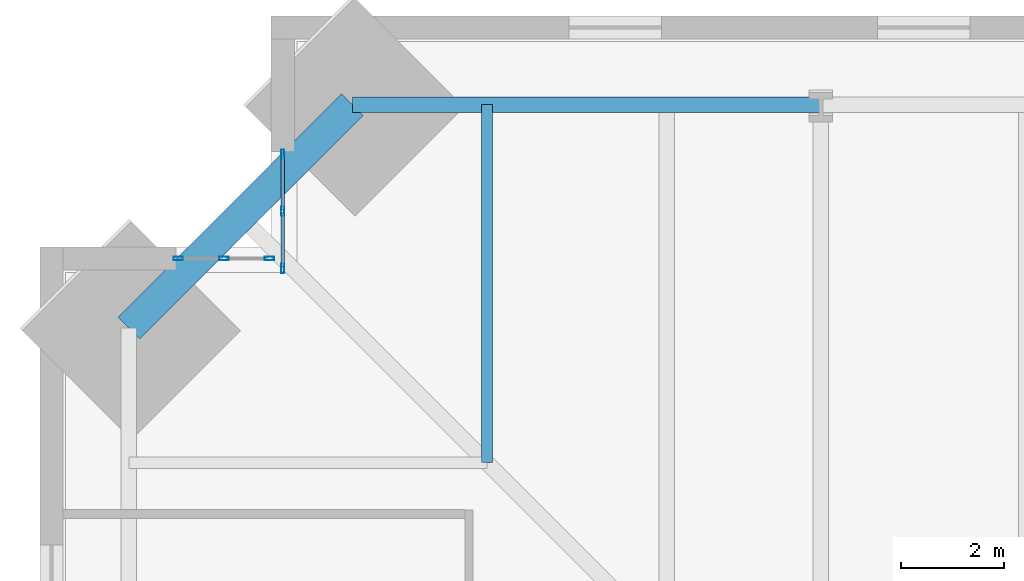
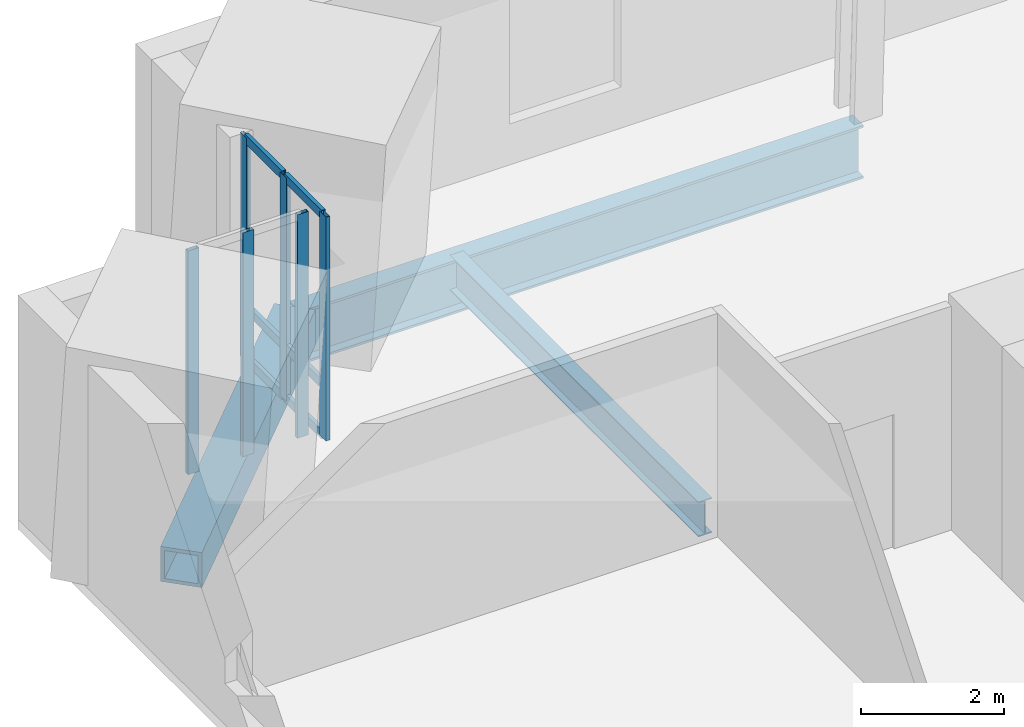
# One storey, part 6 of 15: 12 members, 3 beams, 2 elements without a shape of their own.
"""IFC4 building model written with IfcOpenShell, lengths in metres."""

from ifc_helpers import new_model, si_unit, direction, frame, origin, origin_2d, place, context, subcontext, project, spatial, hollow_rectangle, i_section, extrude, material, material_profile, profile_set, type_object, element, aggregate, save


model = new_model("IFC4")

# Units and contexts
model_context = context("Model", 3, precision=1e-05, world=origin(), true_north=direction((0.0, 1.0)))
body_context = subcontext(model_context, "Body", "Model", "MODEL_VIEW")
ifc_project = project(units=[si_unit("LENGTHUNIT", "METRE"), si_unit("AREAUNIT", "SQUARE_METRE"), si_unit("VOLUMEUNIT", "CUBIC_METRE"), si_unit("PLANEANGLEUNIT", "RADIAN"), si_unit("MASSUNIT", "GRAM", prefix="KILO")], contexts=[model_context])

# Site, building, storey
site_placement = place(None, origin())
site = spatial("IfcSite", under=ifc_project, at=site_placement, CompositionType="ELEMENT")
building_placement = place(site_placement, origin())
building = spatial("IfcBuilding", under=site, at=building_placement, Name="Peilmerk Tower", CompositionType="ELEMENT")
storey_placement = place(building_placement, frame((0.0, 0.0, 233.800048828125)))
storey = spatial("IfcBuildingStorey", under=building, at=storey_placement, Name="L51", CompositionType="ELEMENT", Elevation=233.800048828125)

# Beams
ifc_material_1 = material(Name="Steel S355", Category="steel")
ifc_material_profile_1 = material_profile(ifc_material_1, i_section(OverallWidth=0.219970703125, OverallDepth=0.60009765625, WebThickness=0.011962890625, FlangeThickness=0.01904296875, at=origin_2d()), Name="IPE 600")
ifc_profile_set_1 = profile_set([ifc_material_profile_1], Name="Steel S355")
beam_type_1 = type_object("IfcBeamType", Name="B10 IPE 600 floor beam", PredefinedType="BEAM", material=ifc_profile_set_1)
beam_1_placement = place(storey_placement, frame((-14.5, 14.5, -0.469970703125), z_axis=(0.0, 1.0, 0.0), x_axis=(-1.0, 0.0, 0.0)))
element("IfcBeam", 1, at=beam_1_placement, inside=storey, type_object=beam_type_1, Name="Floor beam L51", PredefinedType="BEAM", context=body_context, shape_type="SweptSolid", body=[
    extrude(i_section(OverallWidth=0.219970703125, OverallDepth=0.60009765625, WebThickness=0.011962890625, FlangeThickness=0.01904296875, at=origin_2d()), origin(), (0.0, 0.0, 1.0), 6.96923828125),
])
ifc_material_profile_2 = material_profile(ifc_material_1, i_section(OverallWidth=0.302001953125, OverallDepth=0.909912109375, WebThickness=0.02099609375, FlangeThickness=0.0400390625, at=origin_2d()), Name="HEM 900")
ifc_profile_set_2 = profile_set([ifc_material_profile_2], Name="Steel S355")
beam_type_2 = type_object("IfcBeamType", Name="B2 HEM 900 edge beam", PredefinedType="SPANDREL", material=ifc_profile_set_2)
beam_2_placement = place(storey_placement, frame((-8.0, 21.46923828125, -0.625), z_axis=(-1.0, 0.0, 0.0), x_axis=(0.0, -1.0, 0.0)))
element("IfcBeam", 2, at=beam_2_placement, inside=storey, type_object=beam_type_2, Name="Edge beam L51", PredefinedType="SPANDREL", context=body_context, shape_type="SweptSolid", body=[
    extrude(i_section(OverallWidth=0.302001953125, OverallDepth=0.909912109375, WebThickness=0.02099609375, FlangeThickness=0.0400390625, at=origin_2d()), origin(), (0.0, 0.0, 1.0), 9.119384765625),
])
ifc_material_2 = material(Name="Steel S460", Category="steel")
ifc_material_profile_3 = material_profile(ifc_material_2, hollow_rectangle(XDim=0.60009765625, YDim=0.60009765625, WallThickness=0.06005859375, at=origin_2d()), Name="BOX 600x600x60")
ifc_profile_set_3 = profile_set([ifc_material_profile_3], Name="Steel S460")
beam_type_3 = type_object("IfcBeamType", Name="B20 BOX 600x600x60 notch beam", PredefinedType="SPANDREL", material=ifc_profile_set_3)
beam_3_placement = place(storey_placement, frame((-21.46923828125, 17.119384765625, -0.469970703125), z_axis=(0.707106781187, 0.707106781187, 0.0), x_axis=(-0.707106781187, 0.707106781187, 0.0)))
element("IfcBeam", 3, at=beam_3_placement, inside=storey, type_object=beam_type_3, Name="Notch beam L51", PredefinedType="SPANDREL", context=body_context, shape_type="SweptSolid", body=[
    extrude(hollow_rectangle(XDim=0.60009765625, YDim=0.60009765625, WallThickness=0.06005859375, at=origin_2d()), origin(), (0.0, 0.0, 1.0), 6.151611328125),
])

# Curtain wall, members
ifc_material_3 = material(Name="Aluminium stick curtain wall", Category="aluminium")
curtain_wall_type = type_object("IfcCurtainWallType", Name="CW4 stick curtain wall, 2250 module", PredefinedType="NOTDEFINED", material=ifc_material_3)
curtain_wall_1_placement = place(storey_placement, origin())
curtain_wall_1 = element("IfcCurtainWall", 4, at=curtain_wall_1_placement, inside=storey, type_object=curtain_wall_type, Name="Curtain wall CW4 NWA L51", PredefinedType="NOTDEFINED")
ifc_material_4 = material(Name="Aluminium EN AW-6063 T6", Category="aluminium")
ifc_material_profile_4 = material_profile(ifc_material_4, hollow_rectangle(XDim=0.06494140625, YDim=0.179931640625, WallThickness=0.0029296875, at=origin_2d()), Name="AL 180x65x3")
ifc_profile_set_4 = profile_set([ifc_material_profile_4], Name="Aluminium EN AW-6063 T6")
member_type_1 = type_object("IfcMemberType", Name="CW4-M AL 180x65x3 mullion", PredefinedType="MULLION", material=ifc_profile_set_4)
member_1_placement = place(storey_placement, frame((-18.47509765625, 18.282470703125, 0.0), z_axis=(0.0, 0.0, 1.0), x_axis=(-1.0, 0.0, 0.0)))
member_1 = element("IfcMember", 5, at=member_1_placement, type_object=member_type_1, Name="CW4 mullion 1", PredefinedType="MULLION", context=body_context, shape_type="SweptSolid", body=[
    extrude(hollow_rectangle(XDim=0.06494140625, YDim=0.179931640625, WallThickness=0.0029296875, at=origin_2d()), origin(), (0.0, 0.0, 1.0), 3.829833984375),
])
member_2_placement = place(storey_placement, frame((-18.47509765625, 19.394287109375, 0.0), z_axis=(0.0, 0.0, 1.0), x_axis=(-1.0, 0.0, 0.0)))
member_2 = element("IfcMember", 6, at=member_2_placement, type_object=member_type_1, Name="CW4 mullion 2", PredefinedType="MULLION", context=body_context, shape_type="SweptSolid", body=[
    extrude(hollow_rectangle(XDim=0.06494140625, YDim=0.179931640625, WallThickness=0.0029296875, at=origin_2d()), origin(), (0.0, 0.0, 1.0), 3.829833984375),
])
member_3_placement = place(storey_placement, frame((-18.47509765625, 20.506103515625, 0.0), z_axis=(0.0, 0.0, 1.0), x_axis=(-1.0, 0.0, 0.0)))
member_3 = element("IfcMember", 7, at=member_3_placement, type_object=member_type_1, Name="CW4 mullion 3", PredefinedType="MULLION", context=body_context, shape_type="SweptSolid", body=[
    extrude(hollow_rectangle(XDim=0.06494140625, YDim=0.179931640625, WallThickness=0.0029296875, at=origin_2d()), origin(), (0.0, 0.0, 1.0), 3.829833984375),
])

curtain_wall_2_placement = place(storey_placement, origin())
curtain_wall_2 = element("IfcCurtainWall", 8, at=curtain_wall_2_placement, inside=storey, type_object=curtain_wall_type, Name="Curtain wall CW4 NWB L51", PredefinedType="NOTDEFINED")
member_4_placement = place(storey_placement, frame((-18.732421875, 18.47509765625, 0.0), z_axis=(0.0, 0.0, 1.0), x_axis=(0.0, -1.0, 0.0)))
member_4 = element("IfcMember", 9, at=member_4_placement, type_object=member_type_1, Name="CW4 mullion 1", PredefinedType="MULLION", context=body_context, shape_type="SweptSolid", body=[
    extrude(hollow_rectangle(XDim=0.06494140625, YDim=0.179931640625, WallThickness=0.0029296875, at=origin_2d()), origin(), (0.0, 0.0, 1.0), 3.829833984375),
])
member_5_placement = place(storey_placement, frame((-19.619384765625, 18.47509765625, 0.0), z_axis=(0.0, 0.0, 1.0), x_axis=(0.0, -1.0, 0.0)))
member_5 = element("IfcMember", 10, at=member_5_placement, type_object=member_type_1, Name="CW4 mullion 2", PredefinedType="MULLION", context=body_context, shape_type="SweptSolid", body=[
    extrude(hollow_rectangle(XDim=0.06494140625, YDim=0.179931640625, WallThickness=0.0029296875, at=origin_2d()), origin(), (0.0, 0.0, 1.0), 3.829833984375),
])
member_6_placement = place(storey_placement, frame((-20.506103515625, 18.47509765625, 0.0), z_axis=(0.0, 0.0, 1.0), x_axis=(0.0, -1.0, 0.0)))
member_6 = element("IfcMember", 11, at=member_6_placement, type_object=member_type_1, Name="CW4 mullion 3", PredefinedType="MULLION", context=body_context, shape_type="SweptSolid", body=[
    extrude(hollow_rectangle(XDim=0.06494140625, YDim=0.179931640625, WallThickness=0.0029296875, at=origin_2d()), origin(), (0.0, 0.0, 1.0), 3.829833984375),
])
aggregate(curtain_wall_2, [member_4, member_5, member_6])

# Member
ifc_material_profile_5 = material_profile(ifc_material_4, hollow_rectangle(XDim=0.06494140625, YDim=0.14990234375, WallThickness=0.0029296875, at=origin_2d()), Name="AL 150x65x3")
ifc_profile_set_5 = profile_set([ifc_material_profile_5], Name="Aluminium EN AW-6063 T6")
member_type_2 = type_object("IfcMemberType", Name="CW4-T AL 150x65x3 transom", PredefinedType="USERDEFINED", material=ifc_profile_set_5)
member_7_placement = place(storey_placement, frame((-18.47509765625, 18.31494140625, 0.032470703125), z_axis=(0.0, 1.0, 0.0), x_axis=(-1.0, 0.0, 0.0)))
member_7 = element("IfcMember", 12, at=member_7_placement, type_object=member_type_2, Name="CW4 transom 1.1", ObjectType="TRANSOM", PredefinedType="USERDEFINED", context=body_context, shape_type="SweptSolid", body=[
    extrude(hollow_rectangle(XDim=0.06494140625, YDim=0.14990234375, WallThickness=0.0029296875, at=origin_2d()), origin(), (0.0, 0.0, 1.0), 1.046875),
])

member_8_placement = place(storey_placement, frame((-18.47509765625, 18.31494140625, 0.89990234375), z_axis=(0.0, 1.0, 0.0), x_axis=(-1.0, 0.0, 0.0)))
member_8 = element("IfcMember", 13, at=member_8_placement, type_object=member_type_2, Name="CW4 transom 1.2", ObjectType="TRANSOM", PredefinedType="USERDEFINED", context=body_context, shape_type="SweptSolid", body=[
    extrude(hollow_rectangle(XDim=0.06494140625, YDim=0.14990234375, WallThickness=0.0029296875, at=origin_2d()), origin(), (0.0, 0.0, 1.0), 1.046875),
])

member_9_placement = place(storey_placement, frame((-18.47509765625, 18.31494140625, 3.79736328125), z_axis=(0.0, 1.0, 0.0), x_axis=(-1.0, 0.0, 0.0)))
member_9 = element("IfcMember", 14, at=member_9_placement, type_object=member_type_2, Name="CW4 transom 1.3", ObjectType="TRANSOM", PredefinedType="USERDEFINED", context=body_context, shape_type="SweptSolid", body=[
    extrude(hollow_rectangle(XDim=0.06494140625, YDim=0.14990234375, WallThickness=0.0029296875, at=origin_2d()), origin(), (0.0, 0.0, 1.0), 1.046875),
])

member_10_placement = place(storey_placement, frame((-18.47509765625, 19.4267578125, 0.032470703125), z_axis=(0.0, 1.0, 0.0), x_axis=(-1.0, 0.0, 0.0)))
member_10 = element("IfcMember", 15, at=member_10_placement, type_object=member_type_2, Name="CW4 transom 2.1", ObjectType="TRANSOM", PredefinedType="USERDEFINED", context=body_context, shape_type="SweptSolid", body=[
    extrude(hollow_rectangle(XDim=0.06494140625, YDim=0.14990234375, WallThickness=0.0029296875, at=origin_2d()), origin(), (0.0, 0.0, 1.0), 1.046875),
])

member_11_placement = place(storey_placement, frame((-18.47509765625, 19.4267578125, 0.89990234375), z_axis=(0.0, 1.0, 0.0), x_axis=(-1.0, 0.0, 0.0)))
member_11 = element("IfcMember", 16, at=member_11_placement, type_object=member_type_2, Name="CW4 transom 2.2", ObjectType="TRANSOM", PredefinedType="USERDEFINED", context=body_context, shape_type="SweptSolid", body=[
    extrude(hollow_rectangle(XDim=0.06494140625, YDim=0.14990234375, WallThickness=0.0029296875, at=origin_2d()), origin(), (0.0, 0.0, 1.0), 1.046875),
])

member_12_placement = place(storey_placement, frame((-18.47509765625, 19.4267578125, 3.79736328125), z_axis=(0.0, 1.0, 0.0), x_axis=(-1.0, 0.0, 0.0)))
member_12 = element("IfcMember", 17, at=member_12_placement, type_object=member_type_2, Name="CW4 transom 2.3", ObjectType="TRANSOM", PredefinedType="USERDEFINED", context=body_context, shape_type="SweptSolid", body=[
    extrude(hollow_rectangle(XDim=0.06494140625, YDim=0.14990234375, WallThickness=0.0029296875, at=origin_2d()), origin(), (0.0, 0.0, 1.0), 1.046875),
])

aggregate(curtain_wall_1, [member_1, member_2, member_3, member_7, member_8, member_9, member_10, member_11, member_12])

save(model, "model.ifc")
